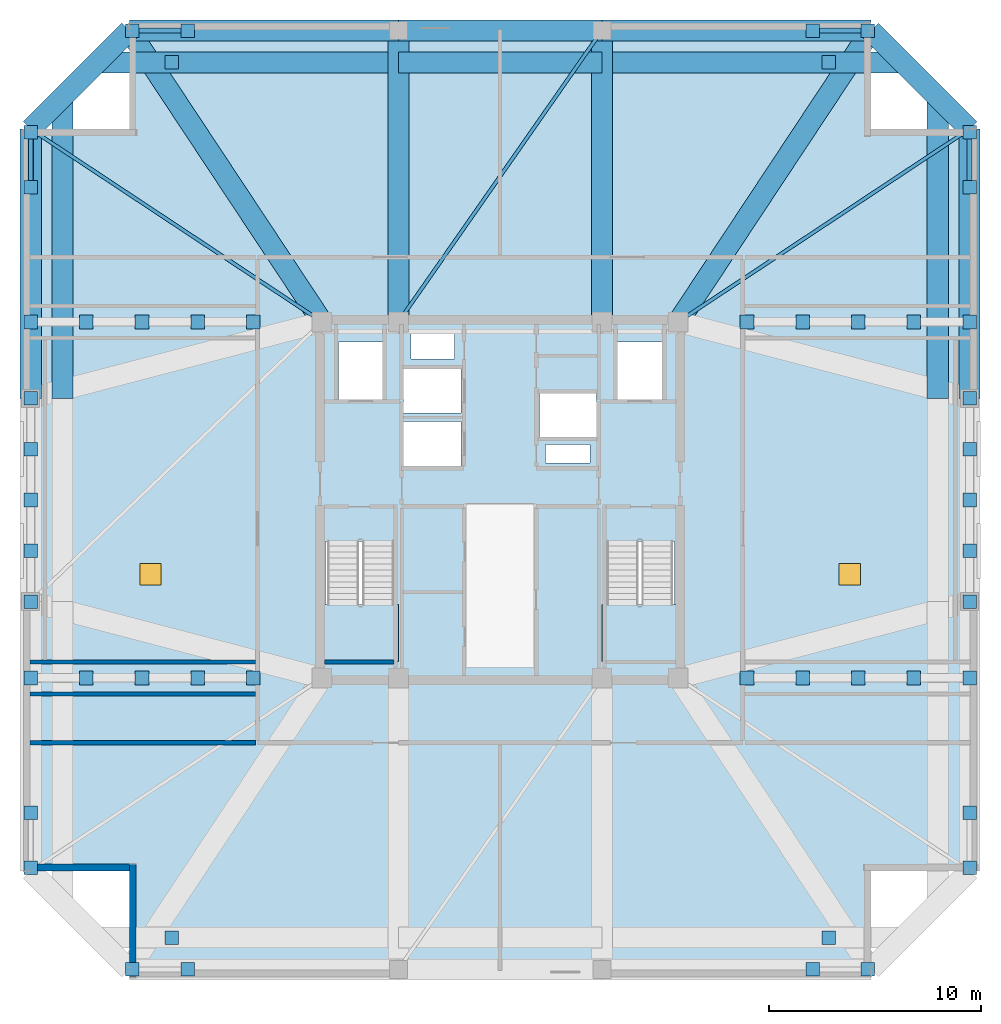
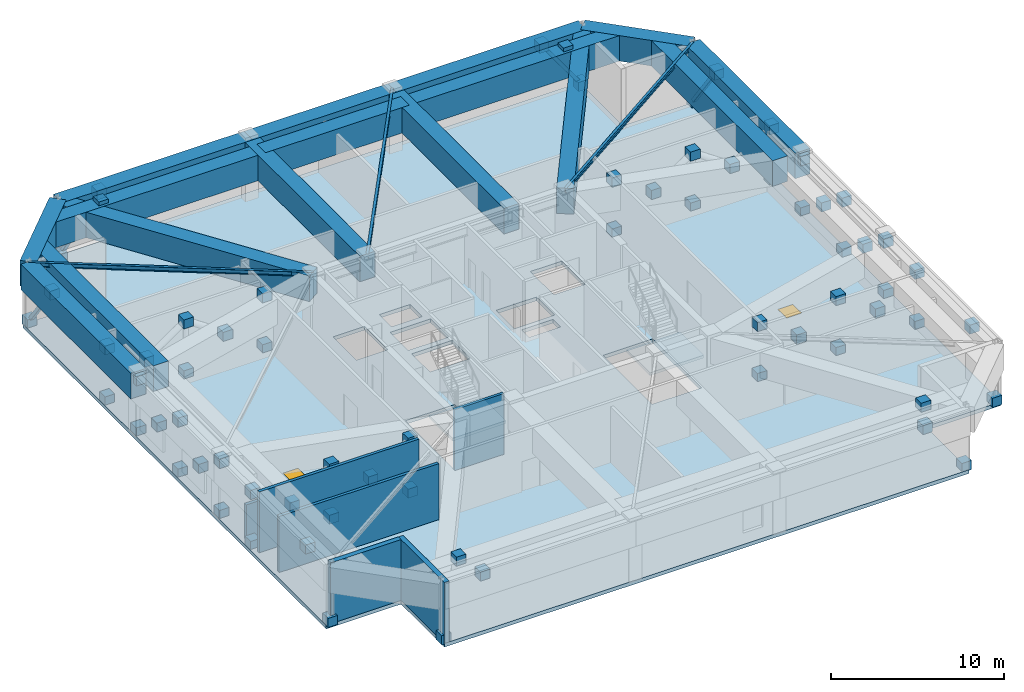
# One storey, part 9 of 17: 68 plates, 19 beams, 6 walls, 4 members, 3 slabs, 2 doors, 2 openings, 2 elements without a shape of their own.
"""IFC4 building model written with IfcOpenShell, lengths in metres."""

from ifc_helpers import new_model, si_unit, direction, frame, frame_2d, origin, origin_2d, place, context, subcontext, project, spatial, polyline, rectangle, hollow_rectangle, i_section, outline, extrude, material, layer, layer_set, material_profile, profile_set, type_object, element, fill, aggregate, save


model = new_model("IFC4")

# Units and contexts
model_context = context("Model", 3, precision=1e-05, world=origin(), true_north=direction((0.0, 1.0)))
body_context = subcontext(model_context, "Body", "Model", "MODEL_VIEW")
ifc_project = project(units=[si_unit("LENGTHUNIT", "METRE"), si_unit("AREAUNIT", "SQUARE_METRE"), si_unit("VOLUMEUNIT", "CUBIC_METRE"), si_unit("PLANEANGLEUNIT", "RADIAN"), si_unit("MASSUNIT", "GRAM", prefix="KILO")], contexts=[model_context])

# Site, building, storey
site_placement = place(None, origin())
site = spatial("IfcSite", under=ifc_project, at=site_placement, CompositionType="ELEMENT")
building_placement = place(site_placement, origin())
building = spatial("IfcBuilding", under=site, at=building_placement, Name="Cairnveth Concourse Tower", CompositionType="ELEMENT")
storey_placement = place(building_placement, frame((0.0, 0.0, 276.0)))
storey = spatial("IfcBuildingStorey", under=building, at=storey_placement, Name="L76", CompositionType="ELEMENT", Elevation=276.0)

# Beams
ifc_material_1 = material(Name="Concrete N65 (65 MPa)", Category="concrete")
ifc_material_profile_1 = material_profile(ifc_material_1, rectangle(XDim=1.0, YDim=1.800048828125, at=origin_2d()), Name="RC-TB-1000x1800")
ifc_profile_set_1 = profile_set([ifc_material_profile_1], Name="Concrete N65 (65 MPa)")
beam_type_1 = type_object("IfcBeamType", Name="CONCRETE TRANSFER GIRDER 1000X1800", PredefinedType="BEAM", material=ifc_profile_set_1)
beam_1_placement = place(storey_placement, frame((34.5, 61.14990234375, 3.389892578125), z_axis=(1.0, 0.0, 0.0), x_axis=(0.0, 1.0, 0.0)))
element("IfcBeam", 1, at=beam_1_placement, inside=storey, type_object=beam_type_1, Name="Beam SP-N1 L76", PredefinedType="BEAM", context=body_context, shape_type="SweptSolid", body=[
    extrude(rectangle(XDim=1.0, YDim=1.800048828125, at=origin_2d()), origin(), (0.0, 0.0, 1.0), 12.699951171875),
])
beam_2_placement = place(storey_placement, frame((47.199951171875, 61.14990234375, 3.389892578125), z_axis=(1.0, 0.0, 0.0), x_axis=(0.0, 1.0, 0.0)))
element("IfcBeam", 2, at=beam_2_placement, inside=storey, type_object=beam_type_1, Name="Beam SP-N2 L76", PredefinedType="BEAM", context=body_context, shape_type="SweptSolid", body=[
    extrude(rectangle(XDim=1.0, YDim=1.800048828125, at=origin_2d()), origin(), (0.0, 0.0, 1.0), 9.60009765625),
])
for number, where, z_axis, x_axis, name in (
    (3, (56.800048828125, 61.14990234375, 3.389892578125), (1.0, 0.0, 0.0), (0.0, 1.0, 0.0), "Beam SP-N3 L76"),
    (4, (29.85009765625, 43.800048828125, 3.389892578125), (0.0, 1.0, 0.0), (-1.0, 0.0, 0.0), "Beam SP-W3 L76"),
    (5, (74.14990234375, 43.800048828125, 3.389892578125), (0.0, 1.0, 0.0), (-1.0, 0.0, 0.0), "Beam SP-E3 L76"),
):
    element("IfcBeam", number, at=place(storey_placement, frame(where, z_axis=z_axis, x_axis=x_axis)), inside=storey, type_object=beam_type_1, Name=name, PredefinedType="BEAM", context=body_context, shape_type="SweptSolid", body=[
        extrude(rectangle(XDim=1.0, YDim=1.800048828125, at=origin_2d()), origin(), (0.0, 0.0, 1.0), 12.699951171875),
    ])
for number, where, z_axis, x_axis, name in (
    (6, (69.5, 61.14990234375, 3.389892578125), (0.707106781187, -0.707106781187, 0.0), (0.707106781187, 0.707106781187, 0.0), "Beam SP-NE L76"),
    (7, (29.85009765625, 56.5, 3.389892578125), (0.707106781187, 0.707106781187, 0.0), (-0.707106781187, 0.707106781187, 0.0), "Beam SP-NW L76"),
):
    element("IfcBeam", number, at=place(storey_placement, frame(where, z_axis=z_axis, x_axis=x_axis)), inside=storey, type_object=beam_type_1, Name=name, PredefinedType="BEAM", context=body_context, shape_type="SweptSolid", body=[
        extrude(rectangle(XDim=1.0, YDim=1.800048828125, at=origin_2d()), origin(), (0.0, 0.0, 1.0), 6.575927734375),
    ])
for number, where, z_axis, x_axis, name in (
    (8, (69.5, 61.14990234375, 3.389892578125), (-0.551902031848, -0.833908956207, 0.0), (0.833908956207, -0.551902031848, 0.0), "Beam RG-CNE L76"),
    (9, (34.5, 61.14990234375, 3.389892578125), (0.551902031848, -0.833908956207, 0.0), (0.833908956207, 0.551902031848, 0.0), "Beam RG-CNW L76"),
):
    element("IfcBeam", number, at=place(storey_placement, frame(where, z_axis=z_axis, x_axis=x_axis)), inside=storey, type_object=beam_type_1, Name=name, PredefinedType="BEAM", context=body_context, shape_type="SweptSolid", body=[
        extrude(rectangle(XDim=1.0, YDim=1.800048828125, at=origin_2d()), origin(), (0.0, 0.0, 1.0), 16.488525390625),
    ])
for number, where, z_axis, x_axis, name in (
    (10, (47.199951171875, 47.39990234375, 3.389892578125), (0.0, 1.0, 0.0), (-1.0, 0.0, 0.0), "Beam RG-N1 L76"),
    (11, (56.800048828125, 47.39990234375, 3.389892578125), (0.0, 1.0, 0.0), (-1.0, 0.0, 0.0), "Beam RG-N2 L76"),
):
    element("IfcBeam", number, at=place(storey_placement, frame(where, z_axis=z_axis, x_axis=x_axis)), inside=storey, type_object=beam_type_1, Name=name, PredefinedType="BEAM", context=body_context, shape_type="SweptSolid", body=[
        extrude(rectangle(XDim=1.0, YDim=1.800048828125, at=origin_2d()), origin(), (0.0, 0.0, 1.0), 13.75),
    ])
beam_3_placement = place(storey_placement, frame((33.0, 59.64990234375, 3.389892578125), z_axis=(1.0, 0.0, 0.0), x_axis=(0.0, 1.0, 0.0)))
element("IfcBeam", 12, at=beam_3_placement, inside=storey, type_object=beam_type_1, Name="Beam STG-N1 L76", PredefinedType="BEAM", context=body_context, shape_type="SweptSolid", body=[
    extrude(rectangle(XDim=1.0, YDim=1.800048828125, at=origin_2d()), origin(), (0.0, 0.0, 1.0), 14.199951171875),
])
beam_4_placement = place(storey_placement, frame((47.199951171875, 59.64990234375, 3.389892578125), z_axis=(1.0, 0.0, 0.0), x_axis=(0.0, 1.0, 0.0)))
element("IfcBeam", 13, at=beam_4_placement, inside=storey, type_object=beam_type_1, Name="Beam STG-N2 L76", PredefinedType="BEAM", context=body_context, shape_type="SweptSolid", body=[
    extrude(rectangle(XDim=1.0, YDim=1.800048828125, at=origin_2d()), origin(), (0.0, 0.0, 1.0), 9.60009765625),
])
for number, where, z_axis, x_axis, name in (
    (14, (56.800048828125, 59.64990234375, 3.389892578125), (1.0, 0.0, 0.0), (0.0, 1.0, 0.0), "Beam STG-N3 L76"),
    (15, (31.35009765625, 43.800048828125, 3.389892578125), (0.0, 1.0, 0.0), (-1.0, 0.0, 0.0), "Beam STG-W3 L76"),
    (16, (72.64990234375, 43.800048828125, 3.389892578125), (0.0, 1.0, 0.0), (-1.0, 0.0, 0.0), "Beam STG-E3 L76"),
):
    element("IfcBeam", number, at=place(storey_placement, frame(where, z_axis=z_axis, x_axis=x_axis)), inside=storey, type_object=beam_type_1, Name=name, PredefinedType="BEAM", context=body_context, shape_type="SweptSolid", body=[
        extrude(rectangle(XDim=1.0, YDim=1.800048828125, at=origin_2d()), origin(), (0.0, 0.0, 1.0), 14.199951171875),
    ])
ifc_material_2 = material(Name="Steel Grade 350", Category="steel")
ifc_material_profile_2 = material_profile(ifc_material_2, i_section(OverallWidth=0.166015625, OverallDepth=0.306884765625, WebThickness=0.006591796875, FlangeThickness=0.01171875, FilletRadius=0.010986328125, at=origin_2d()), Name="310UB46.2")
ifc_profile_set_2 = profile_set([ifc_material_profile_2], Name="Steel Grade 350")
beam_type_2 = type_object("IfcBeamType", Name="ZONE 3 FLOOR JOIST 310UB46.2", PredefinedType="JOIST", material=ifc_profile_set_2)
for number, where, z_axis, x_axis, name in (
    (17, (74.14990234375, 56.5, 4.136474609375), (-0.833908956207, -0.551902031848, 0.0), (0.551902031848, -0.833908956207, 0.0), "Beam FJ-CNE2 L76"),
    (18, (29.85009765625, 56.5, 4.136474609375), (0.833908956207, -0.551902031848, 0.0), (0.551902031848, 0.833908956207, 0.0), "Beam FJ-CNW2 L76"),
):
    element("IfcBeam", number, at=place(storey_placement, frame(where, z_axis=z_axis, x_axis=x_axis)), inside=storey, type_object=beam_type_2, Name=name, PredefinedType="JOIST", context=body_context, shape_type="SweptSolid", body=[
        extrude(i_section(OverallWidth=0.166015625, OverallDepth=0.306884765625, WebThickness=0.006591796875, FlangeThickness=0.01171875, FilletRadius=0.010986328125, at=origin_2d()), origin(), (0.0, 0.0, 1.0), 16.488525390625),
    ])
beam_5_placement = place(storey_placement, frame((47.199951171875, 47.39990234375, 4.136474609375), z_axis=(0.572465304893, 0.819928944905, 0.0), x_axis=(-0.819928944905, 0.572465304893, 0.0)))
element("IfcBeam", 19, at=beam_5_placement, inside=storey, type_object=beam_type_2, Name="Beam FJ-N-M1 L76", PredefinedType="JOIST", context=body_context, shape_type="SweptSolid", body=[
    extrude(i_section(OverallWidth=0.166015625, OverallDepth=0.306884765625, WebThickness=0.006591796875, FlangeThickness=0.01171875, FilletRadius=0.010986328125, at=origin_2d()), origin(), (0.0, 0.0, 1.0), 16.769775390625),
])

# Members
ifc_material_3 = material(Name="Steel C350L0 (350 MPa)", Category="steel")
ifc_material_profile_3 = material_profile(ifc_material_3, hollow_rectangle(XDim=0.25, YDim=0.25, WallThickness=0.012451171875, InnerFilletRadius=0.012939453125, OuterFilletRadius=0.02490234375, at=origin_2d()), Name="250x250x12.5SHS")
ifc_profile_set_3 = profile_set([ifc_material_profile_3], Name="Steel C350L0 (350 MPa)")
member_type = type_object("IfcMemberType", Name="ZONE 3 PIER BRACE 250X250X12.5SHS", PredefinedType="BRACE", material=ifc_profile_set_3)
for number, where, z_axis, x_axis, name in (
    (20, (34.64990234375, 61.14990234375, 0.25), (0.586565875469, 0.0, 0.809901521011), (0.0, 1.0, 0.0), "Structural Brace PB-N1 L76"),
    (21, (69.35009765625, 61.14990234375, 0.25), (-0.586565875469, 0.0, 0.809901521011), (0.0, -1.0, 0.0), "Structural Brace PB-N2 L76"),
    (22, (29.85009765625, 56.35009765625, 0.25), (0.0, -0.586565875469, 0.809901521011), (1.0, 0.0, 0.0), "Structural Brace PB-W2 L76"),
    (23, (74.14990234375, 56.35009765625, 0.25), (0.0, -0.586565875469, 0.809901521011), (1.0, 0.0, 0.0), "Structural Brace PB-E2 L76"),
):
    element("IfcMember", number, at=place(storey_placement, frame(where, z_axis=z_axis, x_axis=x_axis)), inside=storey, type_object=member_type, Name=name, PredefinedType="BRACE", context=body_context, shape_type="SweptSolid", body=[
        extrude(hollow_rectangle(XDim=0.25, YDim=0.25, WallThickness=0.012451171875, InnerFilletRadius=0.012939453125, OuterFilletRadius=0.02490234375, at=origin_2d()), origin(), (0.0, 0.0, 1.0), 4.432861328125),
    ])

# Plates
ifc_layer_1 = layer(ifc_material_2, 0.028076171875)
ifc_layer_set_1 = layer_set([ifc_layer_1], Name="Steel Grade 350")
plate_type_1 = type_object("IfcPlateType", Name="BELT TRUSS SPLICE CAP PLATE 28", PredefinedType="SHEET", material=ifc_layer_set_1)
for number, where, z_axis, x_axis, name in (
    (24, (29.85009765625, 34.199951171875, -0.06982421875), (0.0, 0.0, 1.0), (1.0, 0.0, 0.0), "Structural Node Plate 1353 L76"),
    (25, (29.85009765625, 39.0, 3.52001953125), (0.0, 0.0, 1.0), (1.0, 0.0, 0.0), "Structural Node Plate 1354 L76"),
    (26, (29.85009765625, 36.60009765625, 1.72509765625), (0.0, 0.0, 1.0), (1.0, 0.0, 0.0), "Structural Node Plate 1355 L76"),
    (27, (29.85009765625, 39.0, -0.06982421875), (0.0, 0.0, 1.0), (1.0, 0.0, 0.0), "Structural Node Plate 1356 L76"),
    (28, (29.85009765625, 34.199951171875, 3.52001953125), (0.0, 0.0, 1.0), (1.0, 0.0, 0.0), "Structural Node Plate 1357 L76"),
    (29, (29.85009765625, 43.800048828125, 3.52001953125), (0.0, 0.0, 1.0), (1.0, 0.0, 0.0), "Structural Node Plate 1358 L76"),
    (30, (29.85009765625, 41.39990234375, 1.72509765625), (0.0, 0.0, 1.0), (1.0, 0.0, 0.0), "Structural Node Plate 1359 L76"),
    (31, (29.85009765625, 43.800048828125, -0.06982421875), (0.0, 0.0, 1.0), (1.0, 0.0, 0.0), "Structural Node Plate 1360 L76"),
    (32, (74.14990234375, 34.199951171875, -0.06982421875), (0.0, 0.0, 1.0), (1.0, 0.0, 0.0), "Structural Node Plate 1361 L76"),
    (33, (74.14990234375, 39.0, 3.52001953125), (0.0, 0.0, 1.0), (1.0, 0.0, 0.0), "Structural Node Plate 1362 L76"),
    (34, (74.14990234375, 36.60009765625, 1.72509765625), (0.0, 0.0, 1.0), (1.0, 0.0, 0.0), "Structural Node Plate 1363 L76"),
    (35, (74.14990234375, 39.0, -0.06982421875), (0.0, 0.0, 1.0), (1.0, 0.0, 0.0), "Structural Node Plate 1364 L76"),
    (36, (74.14990234375, 34.199951171875, 3.52001953125), (0.0, 0.0, 1.0), (1.0, 0.0, 0.0), "Structural Node Plate 1365 L76"),
    (37, (74.14990234375, 43.800048828125, 3.52001953125), (0.0, 0.0, 1.0), (1.0, 0.0, 0.0), "Structural Node Plate 1366 L76"),
    (38, (74.14990234375, 41.39990234375, 1.72509765625), (0.0, 0.0, 1.0), (1.0, 0.0, 0.0), "Structural Node Plate 1367 L76"),
    (39, (74.14990234375, 43.800048828125, -0.06982421875), (0.0, 0.0, 1.0), (1.0, 0.0, 0.0), "Structural Node Plate 1368 L76"),
):
    element("IfcPlate", number, at=place(storey_placement, frame(where, z_axis=z_axis, x_axis=x_axis)), inside=storey, type_object=plate_type_1, Name=name, PredefinedType="SHEET", context=body_context, shape_type="SweptSolid", body=[
        extrude(rectangle(XDim=0.639892578125, YDim=0.639892578125, at=origin_2d()), origin(), (0.0, 0.0, 1.0), 0.639892578125),
    ])
ifc_layer_2 = layer(ifc_material_2, 0.0419921875)
ifc_layer_set_2 = layer_set([ifc_layer_2], Name="Steel Grade 350")
plate_type_2 = type_object("IfcPlateType", Name="HIGH OUTRIGGER NODE GUSSET PLATE 42", PredefinedType="USERDEFINED", material=ifc_layer_set_2)
for number, where, z_axis, x_axis, name in (
    (40, (29.85009765625, 30.60009765625, -0.06982421875), (0.0, 0.0, 1.0), (1.0, 0.0, 0.0), "Structural Node Plate 1321 L76"),
    (41, (35.10009765625, 30.60009765625, 3.52001953125), (0.0, 0.0, 1.0), (1.0, 0.0, 0.0), "Structural Node Plate 1322 L76"),
    (42, (32.47509765625, 30.60009765625, 1.72509765625), (0.0, 0.0, 1.0), (1.0, 0.0, 0.0), "Structural Node Plate 1323 L76"),
    (43, (29.85009765625, 30.60009765625, 3.52001953125), (0.0, 0.0, 1.0), (1.0, 0.0, 0.0), "Structural Node Plate 1324 L76"),
    (44, (35.10009765625, 30.60009765625, -0.06982421875), (0.0, 0.0, 1.0), (1.0, 0.0, 0.0), "Structural Node Plate 1325 L76"),
    (45, (40.35009765625, 30.60009765625, 3.52001953125), (0.0, 0.0, 1.0), (1.0, 0.0, 0.0), "Structural Node Plate 1326 L76"),
    (46, (37.72509765625, 30.60009765625, 1.72509765625), (0.0, 0.0, 1.0), (1.0, 0.0, 0.0), "Structural Node Plate 1327 L76"),
    (47, (40.35009765625, 30.60009765625, -0.06982421875), (0.0, 0.0, 1.0), (1.0, 0.0, 0.0), "Structural Node Plate 1328 L76"),
    (48, (29.85009765625, 47.39990234375, -0.06982421875), (0.0, 0.0, 1.0), (1.0, 0.0, 0.0), "Structural Node Plate 1329 L76"),
    (49, (35.10009765625, 47.39990234375, 3.52001953125), (0.0, 0.0, 1.0), (1.0, 0.0, 0.0), "Structural Node Plate 1330 L76"),
    (50, (32.47509765625, 47.39990234375, 1.72509765625), (0.0, 0.0, 1.0), (1.0, 0.0, 0.0), "Structural Node Plate 1331 L76"),
    (51, (29.85009765625, 47.39990234375, 3.52001953125), (0.0, 0.0, 1.0), (1.0, 0.0, 0.0), "Structural Node Plate 1332 L76"),
    (52, (35.10009765625, 47.39990234375, -0.06982421875), (0.0, 0.0, 1.0), (1.0, 0.0, 0.0), "Structural Node Plate 1333 L76"),
    (53, (40.35009765625, 47.39990234375, 3.52001953125), (0.0, 0.0, 1.0), (1.0, 0.0, 0.0), "Structural Node Plate 1334 L76"),
    (54, (37.72509765625, 47.39990234375, 1.72509765625), (0.0, 0.0, 1.0), (1.0, 0.0, 0.0), "Structural Node Plate 1335 L76"),
    (55, (40.35009765625, 47.39990234375, -0.06982421875), (0.0, 0.0, 1.0), (1.0, 0.0, 0.0), "Structural Node Plate 1336 L76"),
    (56, (63.64990234375, 30.60009765625, -0.06982421875), (0.0, 0.0, 1.0), (1.0, 0.0, 0.0), "Structural Node Plate 1337 L76"),
    (57, (68.89990234375, 30.60009765625, 3.52001953125), (0.0, 0.0, 1.0), (1.0, 0.0, 0.0), "Structural Node Plate 1338 L76"),
    (58, (66.27490234375, 30.60009765625, 1.72509765625), (0.0, 0.0, 1.0), (1.0, 0.0, 0.0), "Structural Node Plate 1339 L76"),
    (59, (63.64990234375, 30.60009765625, 3.52001953125), (0.0, 0.0, 1.0), (1.0, 0.0, 0.0), "Structural Node Plate 1340 L76"),
    (60, (68.89990234375, 30.60009765625, -0.06982421875), (0.0, 0.0, 1.0), (1.0, 0.0, 0.0), "Structural Node Plate 1341 L76"),
    (61, (74.14990234375, 30.60009765625, 3.52001953125), (0.0, 0.0, 1.0), (1.0, 0.0, 0.0), "Structural Node Plate 1342 L76"),
    (62, (71.52490234375, 30.60009765625, 1.72509765625), (0.0, 0.0, 1.0), (1.0, 0.0, 0.0), "Structural Node Plate 1343 L76"),
    (63, (74.14990234375, 30.60009765625, -0.06982421875), (0.0, 0.0, 1.0), (1.0, 0.0, 0.0), "Structural Node Plate 1344 L76"),
    (64, (63.64990234375, 47.39990234375, -0.06982421875), (0.0, 0.0, 1.0), (1.0, 0.0, 0.0), "Structural Node Plate 1345 L76"),
    (65, (68.89990234375, 47.39990234375, 3.52001953125), (0.0, 0.0, 1.0), (1.0, 0.0, 0.0), "Structural Node Plate 1346 L76"),
    (66, (66.27490234375, 47.39990234375, 1.72509765625), (0.0, 0.0, 1.0), (1.0, 0.0, 0.0), "Structural Node Plate 1347 L76"),
    (67, (63.64990234375, 47.39990234375, 3.52001953125), (0.0, 0.0, 1.0), (1.0, 0.0, 0.0), "Structural Node Plate 1348 L76"),
    (68, (68.89990234375, 47.39990234375, -0.06982421875), (0.0, 0.0, 1.0), (1.0, 0.0, 0.0), "Structural Node Plate 1349 L76"),
    (69, (74.14990234375, 47.39990234375, 3.52001953125), (0.0, 0.0, 1.0), (1.0, 0.0, 0.0), "Structural Node Plate 1350 L76"),
    (70, (71.52490234375, 47.39990234375, 1.72509765625), (0.0, 0.0, 1.0), (1.0, 0.0, 0.0), "Structural Node Plate 1351 L76"),
    (71, (74.14990234375, 47.39990234375, -0.06982421875), (0.0, 0.0, 1.0), (1.0, 0.0, 0.0), "Structural Node Plate 1352 L76"),
):
    element("IfcPlate", number, at=place(storey_placement, frame(where, z_axis=z_axis, x_axis=x_axis)), inside=storey, type_object=plate_type_2, Name=name, ObjectType="GUSSET PLATE", PredefinedType="USERDEFINED", context=body_context, shape_type="SweptSolid", body=[
        extrude(rectangle(XDim=0.639892578125, YDim=0.639892578125, at=origin_2d()), origin(), (0.0, 0.0, 1.0), 0.639892578125),
    ])
ifc_layer_3 = layer(ifc_material_2, 0.031982421875)
ifc_layer_set_3 = layer_set([ifc_layer_3], Name="Steel Grade 350")
plate_type_3 = type_object("IfcPlateType", Name="PERIMETER BRACE GUSSET PLATE 32", PredefinedType="USERDEFINED", material=ifc_layer_set_3)
for number, where, z_axis, x_axis, name in (
    (72, (34.64990234375, 16.85009765625, -0.06982421875), (0.0, 0.0, 1.0), (1.0, 0.0, 0.0), "Structural Node Plate 1305 L76"),
    (73, (37.25, 16.85009765625, 3.52001953125), (0.0, 0.0, 1.0), (1.0, 0.0, 0.0), "Structural Node Plate 1306 L76"),
    (74, (69.35009765625, 16.85009765625, -0.06982421875), (0.0, 0.0, 1.0), (1.0, 0.0, 0.0), "Structural Node Plate 1307 L76"),
    (75, (66.75, 16.85009765625, 3.52001953125), (0.0, 0.0, 1.0), (1.0, 0.0, 0.0), "Structural Node Plate 1308 L76"),
    (76, (34.64990234375, 61.14990234375, -0.06982421875), (0.0, 0.0, 1.0), (1.0, 0.0, 0.0), "Structural Node Plate 1309 L76"),
    (77, (37.25, 61.14990234375, 3.52001953125), (0.0, 0.0, 1.0), (1.0, 0.0, 0.0), "Structural Node Plate 1310 L76"),
    (78, (69.35009765625, 61.14990234375, -0.06982421875), (0.0, 0.0, 1.0), (1.0, 0.0, 0.0), "Structural Node Plate 1311 L76"),
    (79, (66.75, 61.14990234375, 3.52001953125), (0.0, 0.0, 1.0), (1.0, 0.0, 0.0), "Structural Node Plate 1312 L76"),
    (80, (29.85009765625, 21.64990234375, -0.06982421875), (0.0, 0.0, 1.0), (1.0, 0.0, 0.0), "Structural Node Plate 1313 L76"),
    (81, (29.85009765625, 24.25, 3.52001953125), (0.0, 0.0, 1.0), (1.0, 0.0, 0.0), "Structural Node Plate 1314 L76"),
    (82, (29.85009765625, 56.35009765625, -0.06982421875), (0.0, 0.0, 1.0), (1.0, 0.0, 0.0), "Structural Node Plate 1315 L76"),
    (83, (29.85009765625, 53.75, 3.52001953125), (0.0, 0.0, 1.0), (1.0, 0.0, 0.0), "Structural Node Plate 1316 L76"),
    (84, (74.14990234375, 21.64990234375, -0.06982421875), (0.0, 0.0, 1.0), (1.0, 0.0, 0.0), "Structural Node Plate 1317 L76"),
    (85, (74.14990234375, 24.25, 3.52001953125), (0.0, 0.0, 1.0), (1.0, 0.0, 0.0), "Structural Node Plate 1318 L76"),
    (86, (74.14990234375, 56.35009765625, -0.06982421875), (0.0, 0.0, 1.0), (1.0, 0.0, 0.0), "Structural Node Plate 1319 L76"),
    (87, (74.14990234375, 53.75, 3.52001953125), (0.0, 0.0, 1.0), (1.0, 0.0, 0.0), "Structural Node Plate 1320 L76"),
):
    element("IfcPlate", number, at=place(storey_placement, frame(where, z_axis=z_axis, x_axis=x_axis)), inside=storey, type_object=plate_type_3, Name=name, ObjectType="GUSSET PLATE", PredefinedType="USERDEFINED", context=body_context, shape_type="SweptSolid", body=[
        extrude(rectangle(XDim=0.639892578125, YDim=0.639892578125, at=origin_2d()), origin(), (0.0, 0.0, 1.0), 0.639892578125),
    ])

# Slab, openings, doors
ifc_layer_4 = layer(ifc_material_1, 0.260009765625)
ifc_layer_set_4 = layer_set([ifc_layer_4], Name="Concrete N65 (65 MPa)")
slab_type_1 = type_object("IfcSlabType", Name="PLANT AND OUTRIGGER SLAB 260", PredefinedType="FLOOR", material=ifc_layer_set_4)
slab_1_placement = place(storey_placement, frame((0.0, 0.0, -0.260009765625)))
slab_1 = element("IfcSlab", 88, at=slab_1_placement, inside=storey, type_object=slab_type_1, Name="Tower Floor Slab L76", PredefinedType="FLOOR", context=body_context, shape_type="SweptSolid", body=[
    extrude(outline(polyline([(34.5, 16.5), (69.5, 16.5), (69.5, 21.5), (74.5, 21.5), (74.5, 56.5), (69.5, 56.5), (69.5, 61.5), (34.5, 61.5), (34.5, 56.5), (29.5, 56.5), (29.5, 21.5), (34.5, 21.5), (34.5, 16.5)]), holes=[polyline([(43.760009765625, 31.360107421875), (47.06005859375, 31.360107421875), (47.06005859375, 37.0400390625), (43.760009765625, 37.0400390625), (43.760009765625, 31.360107421875)]), polyline([(56.93994140625, 31.360107421875), (60.239990234375, 31.360107421875), (60.239990234375, 37.0400390625), (56.93994140625, 37.0400390625), (56.93994140625, 31.360107421875)]), polyline([(44.3701171875, 43.75), (46.469970703125, 43.75), (46.469970703125, 46.449951171875), (44.3701171875, 46.449951171875), (44.3701171875, 43.75)]), polyline([(57.530029296875, 43.75), (59.6298828125, 43.75), (59.6298828125, 46.449951171875), (57.530029296875, 46.449951171875), (57.530029296875, 43.75)]), polyline([(47.449951171875, 40.60009765625), (50.14990234375, 40.60009765625), (50.14990234375, 42.699951171875), (47.449951171875, 42.699951171875), (47.449951171875, 40.60009765625)]), polyline([(47.449951171875, 43.10009765625), (50.14990234375, 43.10009765625), (50.14990234375, 45.199951171875), (47.449951171875, 45.199951171875), (47.449951171875, 43.10009765625)]), polyline([(53.85009765625, 41.949951171875), (56.550048828125, 41.949951171875), (56.550048828125, 44.050048828125), (53.85009765625, 44.050048828125), (53.85009765625, 41.949951171875)]), polyline([(47.800048828125, 45.64990234375), (49.85009765625, 45.64990234375), (49.85009765625, 47.050048828125), (47.800048828125, 47.050048828125), (47.800048828125, 45.64990234375)]), polyline([(54.14990234375, 40.75), (56.25, 40.75), (56.25, 41.6201171875), (54.14990234375, 41.6201171875), (54.14990234375, 40.75)]), polyline([(35.0, 35.0), (36.0, 35.0), (36.0, 36.0), (35.0, 36.0), (35.0, 35.0)]), polyline([(68.0, 35.0), (69.0, 35.0), (69.0, 36.0), (68.0, 36.0), (68.0, 35.0)])]), origin(), (0.0, 0.0, 1.0), 0.260009765625),
])
opening_1_placement = place(slab_1_placement, frame((35.5, 35.5, 0.0)))
opening_1 = element("IfcOpeningElement", 89, at=opening_1_placement, cuts=slab_1, Name="Opening RH-01", PredefinedType="OPENING", context=body_context, shape_type="SweptSolid", body=[
    extrude(rectangle(XDim=1.0, YDim=1.0, at=origin_2d()), origin(), (0.0, 0.0, 1.0), 0.260009765625),
])
opening_2_placement = place(slab_1_placement, frame((68.5, 35.5, 0.0)))
opening_2 = element("IfcOpeningElement", 90, at=opening_2_placement, cuts=slab_1, Name="Opening RH-01", PredefinedType="OPENING", context=body_context, shape_type="SweptSolid", body=[
    extrude(rectangle(XDim=1.0, YDim=1.0, at=origin_2d()), origin(), (0.0, 0.0, 1.0), 0.260009765625),
])
ifc_material_4 = material(Name="Architectural Bronze Anodised Aluminium 6063-T6", Category="aluminium")
door_type = type_object("IfcDoorType", Name="PLANT SLAB ACCESS TRAPDOOR HATCH 1000X1000", OperationType="SINGLE_SWING_LEFT", PredefinedType="TRAPDOOR", material=ifc_material_4)
door_1_placement = place(opening_1_placement, frame((0.0, 0.0, 0.2099609375)))
door_1 = element("IfcDoor", 91, at=door_1_placement, inside=storey, type_object=door_type, Name="Plant Hoist Trapdoor Hatch L76-1", OperationType="SINGLE_SWING_LEFT", OverallHeight=1.0, OverallWidth=1.0, PredefinedType="TRAPDOOR", context=body_context, shape_type="SweptSolid", body=[
    extrude(rectangle(XDim=1.0, YDim=1.0, at=origin_2d()), origin(), (0.0, 0.0, 1.0), 0.050048828125),
])
fill(opening_1, door_1)
door_2_placement = place(opening_2_placement, frame((0.0, 0.0, 0.2099609375)))
door_2 = element("IfcDoor", 92, at=door_2_placement, inside=storey, type_object=door_type, Name="Plant Hoist Trapdoor Hatch L76-2", OperationType="SINGLE_SWING_LEFT", OverallHeight=1.0, OverallWidth=1.0, PredefinedType="TRAPDOOR", context=body_context, shape_type="SweptSolid", body=[
    extrude(rectangle(XDim=1.0, YDim=1.0, at=origin_2d()), origin(), (0.0, 0.0, 1.0), 0.050048828125),
])
fill(opening_2, door_2)

# Stair, slab
ifc_material_5 = material(Name="Precast concrete N50 (50 MPa)", Category="concrete")
stair_type = type_object("IfcStairType", Name="CORE DOG-LEG FIRE STAIR 1500", PredefinedType="HALF_TURN_STAIR", material=ifc_material_5)
stair_1_placement = place(storey_placement, origin())
stair_1 = element("IfcStair", 93, at=stair_1_placement, inside=storey, type_object=stair_type, Name="L76 Fire-Isolated Stair ST-1", PredefinedType="HALF_TURN_STAIR")
ifc_material_6 = material(Name="Concrete N50 (50 MPa)", Category="concrete")
ifc_layer_5 = layer(ifc_material_6, 0.199951171875)
ifc_layer_set_5 = layer_set([ifc_layer_5], Name="Concrete N50 (50 MPa)")
slab_type_2 = type_object("IfcSlabType", Name="STAIR HALF LANDING SLAB 200", PredefinedType="LANDING", material=ifc_layer_set_5)
slab_2_placement = place(storey_placement, frame((0.0, 0.0, 2.050048828125)))
slab_2 = element("IfcSlab", 94, at=slab_2_placement, type_object=slab_type_2, Name="ST-1 landing 1", PredefinedType="LANDING", context=body_context, shape_type="SweptSolid", body=[
    extrude(outline(polyline([(43.6201171875, 34.080078125), (43.6201171875, 31.3701171875), (47.199951171875, 31.3701171875), (47.199951171875, 34.080078125), (43.6201171875, 34.080078125)])), origin(), (0.0, 0.0, 1.0), 0.199951171875),
])
aggregate(stair_1, [slab_2])

stair_2_placement = place(storey_placement, origin())
stair_2 = element("IfcStair", 95, at=stair_2_placement, inside=storey, type_object=stair_type, Name="L76 Fire-Isolated Stair ST-2", PredefinedType="HALF_TURN_STAIR")
slab_3_placement = place(storey_placement, frame((0.0, 0.0, 2.050048828125)))
slab_3 = element("IfcSlab", 96, at=slab_3_placement, type_object=slab_type_2, Name="ST-2 landing 1", PredefinedType="LANDING", context=body_context, shape_type="SweptSolid", body=[
    extrude(outline(polyline([(56.800048828125, 34.080078125), (56.800048828125, 31.3701171875), (60.3798828125, 31.3701171875), (60.3798828125, 34.080078125), (56.800048828125, 34.080078125)])), origin(), (0.0, 0.0, 1.0), 0.199951171875),
])
aggregate(stair_2, [slab_3])

# Plates
ifc_layer_6 = layer(ifc_material_2, 0.035888671875)
ifc_layer_set_6 = layer_set([ifc_layer_6], Name="Steel Grade 350")
plate_type_4 = type_object("IfcPlateType", Name="UPPER SETBACK KINK NODE PLATE 36", PredefinedType="SHEET", material=ifc_layer_set_6)
for number, where, z_axis, x_axis, name in (
    (97, (36.5, 18.35009765625, 3.919921875), (0.0, 0.0, 1.0), (1.0, 0.0, 0.0), "Structural Node Plate 1301 L76"),
    (98, (67.5, 18.35009765625, 3.919921875), (0.0, 0.0, 1.0), (1.0, 0.0, 0.0), "Structural Node Plate 1302 L76"),
    (99, (67.5, 59.64990234375, 3.919921875), (0.0, 0.0, 1.0), (1.0, 0.0, 0.0), "Structural Node Plate 1303 L76"),
    (100, (36.5, 59.64990234375, 3.919921875), (0.0, 0.0, 1.0), (1.0, 0.0, 0.0), "Structural Node Plate 1304 L76"),
):
    element("IfcPlate", number, at=place(storey_placement, frame(where, z_axis=z_axis, x_axis=x_axis)), inside=storey, type_object=plate_type_4, Name=name, PredefinedType="SHEET", context=body_context, shape_type="SweptSolid", body=[
        extrude(rectangle(XDim=0.639892578125, YDim=0.639892578125, at=origin_2d()), origin(), (0.0, 0.0, 1.0), 0.639892578125),
    ])

# Walls
ifc_layer_7 = layer(ifc_material_6, 0.179931640625)
ifc_layer_set_7 = layer_set([ifc_layer_7], Name="Concrete N50 (50 MPa)")
wall_type_1 = type_object("IfcWallType", Name="FIRE SHAFT WALL 180", PredefinedType="SOLIDWALL", material=ifc_layer_set_7)
wall_1_placement = place(storey_placement, frame((43.715087890625, 31.360107421875, 0.0), z_axis=(0.0, 0.0, 1.0), x_axis=(1.0, 0.0, 0.0)))
element("IfcWall", 101, at=wall_1_placement, inside=storey, type_object=wall_type_1, Name="Stair ST-1 Shaft Wall FAR L76", PredefinedType="SOLIDWALL", context=body_context, shape_type="SweptSolid", body=[
    extrude(rectangle(XDim=3.280029296875, YDim=0.179931640625, at=frame_2d((1.64013671875, 0.0))), origin(), (0.0, 0.0, 1.0), 4.2900390625),
])
ifc_layer_8 = layer(ifc_material_6, 0.199951171875)
ifc_layer_set_8 = layer_set([ifc_layer_8], Name="Concrete N50 (50 MPa)")
wall_type_2 = type_object("IfcWallType", Name="FIRE SHAFT WALL 200", PredefinedType="SOLIDWALL", material=ifc_layer_set_8)
wall_2_placement = place(storey_placement, frame((29.804931640625, 29.85009765625, 0.0), z_axis=(0.0, 0.0, 1.0), x_axis=(1.0, 0.0, 0.0)))
element("IfcWall", 102, at=wall_2_placement, inside=storey, type_object=wall_type_2, Name="Interior Wall IW-L76-039", PredefinedType="SOLIDWALL", context=body_context, shape_type="SweptSolid", body=[
    extrude(rectangle(XDim=10.64501953125, YDim=0.199951171875, at=frame_2d((5.322509765625, 0.0))), origin(), (0.0, 0.0, 1.0), 4.2900390625),
])
wall_3_placement = place(storey_placement, frame((29.804931640625, 31.35009765625, 0.0), z_axis=(0.0, 0.0, 1.0), x_axis=(1.0, 0.0, 0.0)))
element("IfcWall", 103, at=wall_3_placement, inside=storey, type_object=wall_type_2, Name="Interior Wall IW-L76-041", PredefinedType="SOLIDWALL", context=body_context, shape_type="SweptSolid", body=[
    extrude(rectangle(XDim=10.64501953125, YDim=0.199951171875, at=frame_2d((5.322509765625, 0.0))), origin(), (0.0, 0.0, 1.0), 2.465087890625),
])
wall_4_placement = place(storey_placement, frame((29.804931640625, 27.550048828125, 0.0), z_axis=(0.0, 0.0, 1.0), x_axis=(1.0, 0.0, 0.0)))
element("IfcWall", 104, at=wall_4_placement, inside=storey, type_object=wall_type_2, Name="Interior Wall IW-L76-050", PredefinedType="SOLIDWALL", context=body_context, shape_type="SweptSolid", body=[
    extrude(rectangle(XDim=10.64501953125, YDim=0.199951171875, at=frame_2d((5.322509765625, 0.0))), origin(), (0.0, 0.0, 1.0), 3.9580078125),
])
ifc_material_7 = material(Name="Melbourne Buff Fired Clay Brick Masonry", Category="masonry")
ifc_layer_9 = layer(ifc_material_7, 0.320068359375)
ifc_layer_set_9 = layer_set([ifc_layer_9], Name="Melbourne Buff Fired Clay Brick Masonry")
wall_type_3 = type_object("IfcWallType", Name="ZONE 3 BRICK PIER SPANDREL WALL 320", PredefinedType="SOLIDWALL", material=ifc_layer_set_9)
wall_5_placement = place(storey_placement, frame((34.659912109375, 16.5, 0.0), z_axis=(0.0, 0.0, 1.0), x_axis=(0.0, 1.0, 0.0)))
element("IfcWall", 105, at=wall_5_placement, inside=storey, type_object=wall_type_3, Name="Exterior Wall EW-L76-S00", PredefinedType="SOLIDWALL", context=body_context, shape_type="SweptSolid", body=[
    extrude(rectangle(XDim=5.320068359375, YDim=0.320068359375, at=frame_2d((2.66015625, 0.0))), origin(), (0.0, 0.0, 1.0), 4.2900390625),
])
wall_6_placement = place(storey_placement, frame((34.52197265625, 21.659912109375, 0.0), z_axis=(0.0, 0.0, 1.0), x_axis=(-1.0, 0.0, 0.0)))
element("IfcWall", 106, at=wall_6_placement, inside=storey, type_object=wall_type_3, Name="Exterior Wall EW-L76-S01", PredefinedType="SOLIDWALL", context=body_context, shape_type="SweptSolid", body=[
    extrude(rectangle(XDim=4.723876953125, YDim=0.320068359375, at=frame_2d((2.36181640625, 0.0))), origin(), (0.0, 0.0, 1.0), 4.2900390625),
])

save(model, "model.ifc")
